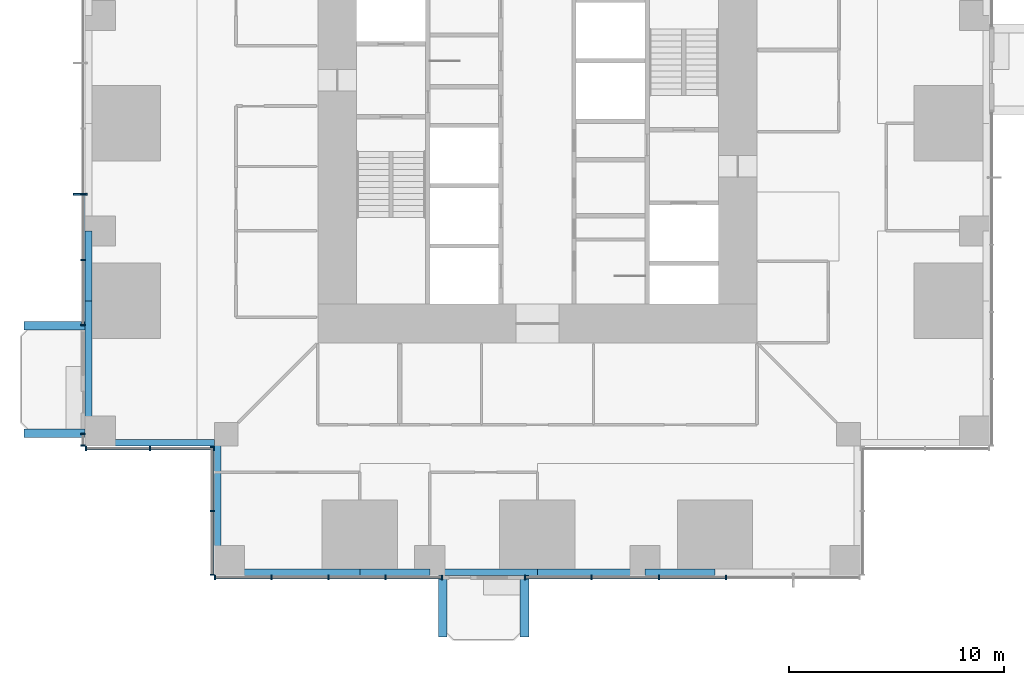
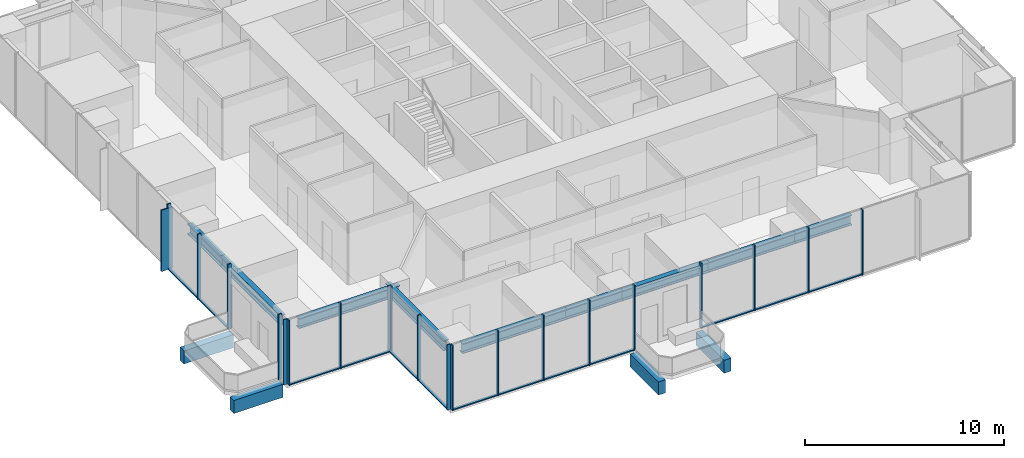
# One storey, part 2 of 17: 34 members, 13 beams, 6 elements without a shape of their own.
"""IFC4 building model written with IfcOpenShell, lengths in metres."""

from ifc_helpers import new_model, si_unit, direction, frame, origin, origin_2d, place, context, subcontext, project, spatial, rectangle, i_section, extrude, material, material_profile, profile_set, type_object, element, aggregate, save


model = new_model("IFC4")

# Units and contexts
model_context = context("Model", 3, precision=1e-05, world=origin(), true_north=direction((0.0, 1.0)))
body_context = subcontext(model_context, "Body", "Model", "MODEL_VIEW")
ifc_project = project(units=[si_unit("LENGTHUNIT", "METRE"), si_unit("AREAUNIT", "SQUARE_METRE"), si_unit("VOLUMEUNIT", "CUBIC_METRE"), si_unit("PLANEANGLEUNIT", "RADIAN"), si_unit("MASSUNIT", "GRAM", prefix="KILO")], contexts=[model_context])

# Site, building, storey
site_placement = place(None, origin())
site = spatial("IfcSite", under=ifc_project, at=site_placement, CompositionType="ELEMENT")
building_placement = place(site_placement, origin())
building = spatial("IfcBuilding", under=site, at=building_placement, Name="Svetlomir Tower", CompositionType="ELEMENT")
storey_placement = place(building_placement, frame((0.0, 0.0, 70.5)))
storey = spatial("IfcBuildingStorey", under=building, at=storey_placement, Name="L16", CompositionType="ELEMENT", Elevation=70.5)

# Beams
ifc_material_1 = material(Name="Concrete C60/75", Category="concrete")
ifc_material_profile_1 = material_profile(ifc_material_1, rectangle(XDim=0.39990234375, YDim=0.800048828125, at=origin_2d()), Name="RC 400x800")
ifc_profile_set_1 = profile_set([ifc_material_profile_1], Name="Concrete C60/75")
beam_type_1 = type_object("IfcBeamType", Name="BALCONY RIB RC 400x800", PredefinedType="BEAM", material=ifc_profile_set_1)
for number, where, z_axis, x_axis, name in (
    (1, (16.60009765625, 0.0, -0.64990234375), (0.0, -1.0, 0.0), (1.0, 0.0, 0.0), "Balcony rib S 1 L16"),
    (2, (20.39990234375, 0.0, -0.64990234375), (0.0, -1.0, 0.0), (1.0, 0.0, 0.0), "Balcony rib S 2 L16"),
    (3, (0.0, 6.60009765625, -0.64990234375), (-1.0, 0.0, 0.0), (0.0, -1.0, 0.0), "Balcony rib W 1 L16"),
    (4, (0.0, 11.60009765625, -0.64990234375), (-1.0, 0.0, 0.0), (0.0, -1.0, 0.0), "Balcony rib W 2 L16"),
):
    element("IfcBeam", number, at=place(storey_placement, frame(where, z_axis=z_axis, x_axis=x_axis)), inside=storey, type_object=beam_type_1, Name=name, PredefinedType="BEAM", context=body_context, shape_type="SweptSolid", body=[
        extrude(rectangle(XDim=0.39990234375, YDim=0.800048828125, at=origin_2d()), origin(), (0.0, 0.0, 1.0), 2.85009765625),
    ])

# Curtain wall, member
ifc_material_2 = material(Name="Bronze anodised aluminium curtain wall", Category="aluminium")
curtain_wall_type = type_object("IfcCurtainWallType", Name="CURTAIN WALL CW1 TOWER OFFICE", PredefinedType="NOTDEFINED", material=ifc_material_2)
curtain_wall_1_placement = place(storey_placement, origin())
curtain_wall_1 = element("IfcCurtainWall", 5, at=curtain_wall_1_placement, inside=storey, type_object=curtain_wall_type, Name="Curtain wall CW1 L16", PredefinedType="NOTDEFINED")
ifc_material_3 = material(Name="Bronze anodised aluminium", Category="aluminium")
ifc_material_profile_2 = material_profile(ifc_material_3, rectangle(XDim=0.080078125, YDim=0.64990234375, at=origin_2d()), Name="FIN 80x650")
ifc_profile_set_2 = profile_set([ifc_material_profile_2], Name="Bronze anodised aluminium 6063-T6")
member_type_1 = type_object("IfcMemberType", Name="BRONZE FIN 80x650", PredefinedType="USERDEFINED", material=ifc_profile_set_2)
member_1_placement = place(storey_placement, frame((-0.22509765625, 17.699951171875, 0.0), z_axis=(0.0, 0.0, 1.0), x_axis=(0.0, 1.0, 0.0)))
member_1 = element("IfcMember", 6, at=member_1_placement, type_object=member_type_1, Name="Bronze fin L16", ObjectType="FIN", PredefinedType="USERDEFINED", context=body_context, shape_type="SweptSolid", body=[
    extrude(rectangle(XDim=0.080078125, YDim=0.64990234375, at=origin_2d()), origin(), (0.0, 0.0, 1.0), 3.75),
])

# Curtain wall, members
curtain_wall_2_placement = place(storey_placement, origin())
curtain_wall_2 = element("IfcCurtainWall", 7, at=curtain_wall_2_placement, inside=storey, type_object=curtain_wall_type, Name="Curtain wall CW1 L16", PredefinedType="NOTDEFINED")
ifc_material_4 = material(Name="Bronze anodised aluminium", Category="aluminium")
ifc_material_profile_3 = material_profile(ifc_material_4, rectangle(XDim=0.06494140625, YDim=0.199951171875, at=origin_2d()), Name="AL 65x200")
ifc_profile_set_3 = profile_set([ifc_material_profile_3], Name="Bronze anodised aluminium 6063-T6")
member_type_2 = type_object("IfcMemberType", Name="CW1 MULLION 65x200", PredefinedType="MULLION", material=ifc_profile_set_3)
member_2_placement = place(storey_placement, frame((6.032470703125, -0.10009765625, 0.0), z_axis=(0.0, 0.0, 1.0), x_axis=(1.0, 0.0, 0.0)))
member_2 = element("IfcMember", 8, at=member_2_placement, type_object=member_type_2, Name="CW1 mullion 1", PredefinedType="MULLION", context=body_context, shape_type="SweptSolid", body=[
    extrude(rectangle(XDim=0.06494140625, YDim=0.199951171875, at=origin_2d()), origin(), (0.0, 0.0, 1.0), 4.0),
])
member_3_placement = place(storey_placement, frame((8.64990234375, -0.10009765625, 0.0), z_axis=(0.0, 0.0, 1.0), x_axis=(1.0, 0.0, 0.0)))
member_3 = element("IfcMember", 9, at=member_3_placement, type_object=member_type_2, Name="CW1 mullion 2", PredefinedType="MULLION", context=body_context, shape_type="SweptSolid", body=[
    extrude(rectangle(XDim=0.06494140625, YDim=0.199951171875, at=origin_2d()), origin(), (0.0, 0.0, 1.0), 4.0),
])
member_4_placement = place(storey_placement, frame((11.300048828125, -0.10009765625, 0.0), z_axis=(0.0, 0.0, 1.0), x_axis=(1.0, 0.0, 0.0)))
member_4 = element("IfcMember", 10, at=member_4_placement, type_object=member_type_2, Name="CW1 mullion 3", PredefinedType="MULLION", context=body_context, shape_type="SweptSolid", body=[
    extrude(rectangle(XDim=0.06494140625, YDim=0.199951171875, at=origin_2d()), origin(), (0.0, 0.0, 1.0), 4.0),
])
member_5_placement = place(storey_placement, frame((13.949951171875, -0.10009765625, 0.0), z_axis=(0.0, 0.0, 1.0), x_axis=(1.0, 0.0, 0.0)))
member_5 = element("IfcMember", 11, at=member_5_placement, type_object=member_type_2, Name="CW1 mullion 4", PredefinedType="MULLION", context=body_context, shape_type="SweptSolid", body=[
    extrude(rectangle(XDim=0.06494140625, YDim=0.199951171875, at=origin_2d()), origin(), (0.0, 0.0, 1.0), 4.0),
])
member_6_placement = place(storey_placement, frame((16.5673828125, -0.10009765625, 0.0), z_axis=(0.0, 0.0, 1.0), x_axis=(1.0, 0.0, 0.0)))
member_6 = element("IfcMember", 12, at=member_6_placement, type_object=member_type_2, Name="CW1 mullion 5", PredefinedType="MULLION", context=body_context, shape_type="SweptSolid", body=[
    extrude(rectangle(XDim=0.06494140625, YDim=0.199951171875, at=origin_2d()), origin(), (0.0, 0.0, 1.0), 4.0),
])

curtain_wall_3_placement = place(storey_placement, origin())
curtain_wall_3 = element("IfcCurtainWall", 13, at=curtain_wall_3_placement, inside=storey, type_object=curtain_wall_type, Name="Curtain wall CW1 L16", PredefinedType="NOTDEFINED")
member_7_placement = place(storey_placement, frame((20.4326171875, -0.10009765625, 0.0), z_axis=(0.0, 0.0, 1.0), x_axis=(1.0, 0.0, 0.0)))
member_7 = element("IfcMember", 14, at=member_7_placement, type_object=member_type_2, Name="CW1 mullion 1", PredefinedType="MULLION", context=body_context, shape_type="SweptSolid", body=[
    extrude(rectangle(XDim=0.06494140625, YDim=0.199951171875, at=origin_2d()), origin(), (0.0, 0.0, 1.0), 4.0),
])
member_8_placement = place(storey_placement, frame((23.52001953125, -0.10009765625, 0.0), z_axis=(0.0, 0.0, 1.0), x_axis=(1.0, 0.0, 0.0)))
member_8 = element("IfcMember", 15, at=member_8_placement, type_object=member_type_2, Name="CW1 mullion 2", PredefinedType="MULLION", context=body_context, shape_type="SweptSolid", body=[
    extrude(rectangle(XDim=0.06494140625, YDim=0.199951171875, at=origin_2d()), origin(), (0.0, 0.0, 1.0), 4.0),
])
member_9_placement = place(storey_placement, frame((26.639892578125, -0.10009765625, 0.0), z_axis=(0.0, 0.0, 1.0), x_axis=(1.0, 0.0, 0.0)))
member_9 = element("IfcMember", 16, at=member_9_placement, type_object=member_type_2, Name="CW1 mullion 3", PredefinedType="MULLION", context=body_context, shape_type="SweptSolid", body=[
    extrude(rectangle(XDim=0.06494140625, YDim=0.199951171875, at=origin_2d()), origin(), (0.0, 0.0, 1.0), 4.0),
])
member_10_placement = place(storey_placement, frame((29.760009765625, -0.10009765625, 0.0), z_axis=(0.0, 0.0, 1.0), x_axis=(1.0, 0.0, 0.0)))
member_10 = element("IfcMember", 17, at=member_10_placement, type_object=member_type_2, Name="CW1 mullion 4", PredefinedType="MULLION", context=body_context, shape_type="SweptSolid", body=[
    extrude(rectangle(XDim=0.06494140625, YDim=0.199951171875, at=origin_2d()), origin(), (0.0, 0.0, 1.0), 4.0),
])

# Member
member_11_placement = place(storey_placement, frame((-0.10009765625, 17.699951171875, 0.0), z_axis=(0.0, 0.0, 1.0), x_axis=(0.0, -1.0, 0.0)))
member_11 = element("IfcMember", 18, at=member_11_placement, type_object=member_type_2, Name="CW1 mullion 7", PredefinedType="MULLION", context=body_context, shape_type="SweptSolid", body=[
    extrude(rectangle(XDim=0.06494140625, YDim=0.199951171875, at=origin_2d()), origin(), (0.0, 0.0, 1.0), 4.0),
])

member_12_placement = place(storey_placement, frame((-0.10009765625, 14.64990234375, 0.0), z_axis=(0.0, 0.0, 1.0), x_axis=(0.0, -1.0, 0.0)))
member_12 = element("IfcMember", 19, at=member_12_placement, type_object=member_type_2, Name="CW1 mullion 8", PredefinedType="MULLION", context=body_context, shape_type="SweptSolid", body=[
    extrude(rectangle(XDim=0.06494140625, YDim=0.199951171875, at=origin_2d()), origin(), (0.0, 0.0, 1.0), 4.0),
])

member_13_placement = place(storey_placement, frame((-0.10009765625, 11.632568359375, 0.0), z_axis=(0.0, 0.0, 1.0), x_axis=(0.0, -1.0, 0.0)))
member_13 = element("IfcMember", 20, at=member_13_placement, type_object=member_type_2, Name="CW1 mullion 9", PredefinedType="MULLION", context=body_context, shape_type="SweptSolid", body=[
    extrude(rectangle(XDim=0.06494140625, YDim=0.199951171875, at=origin_2d()), origin(), (0.0, 0.0, 1.0), 4.0),
])

# Curtain wall, members
curtain_wall_4_placement = place(storey_placement, origin())
curtain_wall_4 = element("IfcCurtainWall", 21, at=curtain_wall_4_placement, inside=storey, type_object=curtain_wall_type, Name="Curtain wall CW1 L16", PredefinedType="NOTDEFINED")
member_14_placement = place(storey_placement, frame((-0.10009765625, 6.5673828125, 0.0), z_axis=(0.0, 0.0, 1.0), x_axis=(0.0, -1.0, 0.0)))
member_14 = element("IfcMember", 22, at=member_14_placement, type_object=member_type_2, Name="CW1 mullion 1", PredefinedType="MULLION", context=body_context, shape_type="SweptSolid", body=[
    extrude(rectangle(XDim=0.06494140625, YDim=0.199951171875, at=origin_2d()), origin(), (0.0, 0.0, 1.0), 4.0),
])
member_15_placement = place(storey_placement, frame((-0.10009765625, 6.032470703125, 0.0), z_axis=(0.0, 0.0, 1.0), x_axis=(0.0, -1.0, 0.0)))
member_15 = element("IfcMember", 23, at=member_15_placement, type_object=member_type_2, Name="CW1 mullion 2", PredefinedType="MULLION", context=body_context, shape_type="SweptSolid", body=[
    extrude(rectangle(XDim=0.06494140625, YDim=0.199951171875, at=origin_2d()), origin(), (0.0, 0.0, 1.0), 4.0),
])
aggregate(curtain_wall_4, [member_14, member_15])

curtain_wall_5_placement = place(storey_placement, origin())
curtain_wall_5 = element("IfcCurtainWall", 24, at=curtain_wall_5_placement, inside=storey, type_object=curtain_wall_type, Name="Curtain wall CW1 L16", PredefinedType="NOTDEFINED")
member_16_placement = place(storey_placement, frame((0.032470703125, 5.89990234375, 0.0), z_axis=(0.0, 0.0, 1.0), x_axis=(1.0, 0.0, 0.0)))
member_16 = element("IfcMember", 25, at=member_16_placement, type_object=member_type_2, Name="CW1 mullion 1", PredefinedType="MULLION", context=body_context, shape_type="SweptSolid", body=[
    extrude(rectangle(XDim=0.06494140625, YDim=0.199951171875, at=origin_2d()), origin(), (0.0, 0.0, 1.0), 4.0),
])
member_17_placement = place(storey_placement, frame((3.0, 5.89990234375, 0.0), z_axis=(0.0, 0.0, 1.0), x_axis=(1.0, 0.0, 0.0)))
member_17 = element("IfcMember", 26, at=member_17_placement, type_object=member_type_2, Name="CW1 mullion 2", PredefinedType="MULLION", context=body_context, shape_type="SweptSolid", body=[
    extrude(rectangle(XDim=0.06494140625, YDim=0.199951171875, at=origin_2d()), origin(), (0.0, 0.0, 1.0), 4.0),
])
member_18_placement = place(storey_placement, frame((5.967529296875, 5.89990234375, 0.0), z_axis=(0.0, 0.0, 1.0), x_axis=(1.0, 0.0, 0.0)))
member_18 = element("IfcMember", 27, at=member_18_placement, type_object=member_type_2, Name="CW1 mullion 3", PredefinedType="MULLION", context=body_context, shape_type="SweptSolid", body=[
    extrude(rectangle(XDim=0.06494140625, YDim=0.199951171875, at=origin_2d()), origin(), (0.0, 0.0, 1.0), 4.0),
])

curtain_wall_6_placement = place(storey_placement, origin())
curtain_wall_6 = element("IfcCurtainWall", 28, at=curtain_wall_6_placement, inside=storey, type_object=curtain_wall_type, Name="Curtain wall CW1 L16", PredefinedType="NOTDEFINED")
member_19_placement = place(storey_placement, frame((5.89990234375, 5.967529296875, 0.0), z_axis=(0.0, 0.0, 1.0), x_axis=(0.0, -1.0, 0.0)))
member_19 = element("IfcMember", 29, at=member_19_placement, type_object=member_type_2, Name="CW1 mullion 1", PredefinedType="MULLION", context=body_context, shape_type="SweptSolid", body=[
    extrude(rectangle(XDim=0.06494140625, YDim=0.199951171875, at=origin_2d()), origin(), (0.0, 0.0, 1.0), 4.0),
])
member_20_placement = place(storey_placement, frame((5.89990234375, 3.0, 0.0), z_axis=(0.0, 0.0, 1.0), x_axis=(0.0, -1.0, 0.0)))
member_20 = element("IfcMember", 30, at=member_20_placement, type_object=member_type_2, Name="CW1 mullion 2", PredefinedType="MULLION", context=body_context, shape_type="SweptSolid", body=[
    extrude(rectangle(XDim=0.06494140625, YDim=0.199951171875, at=origin_2d()), origin(), (0.0, 0.0, 1.0), 4.0),
])
member_21_placement = place(storey_placement, frame((5.89990234375, 0.032470703125, 0.0), z_axis=(0.0, 0.0, 1.0), x_axis=(0.0, -1.0, 0.0)))
member_21 = element("IfcMember", 31, at=member_21_placement, type_object=member_type_2, Name="CW1 mullion 3", PredefinedType="MULLION", context=body_context, shape_type="SweptSolid", body=[
    extrude(rectangle(XDim=0.06494140625, YDim=0.199951171875, at=origin_2d()), origin(), (0.0, 0.0, 1.0), 4.0),
])

# Member
ifc_material_5 = material(Name="Bronze anodised aluminium", Category="aluminium")
ifc_material_profile_4 = material_profile(ifc_material_5, rectangle(XDim=0.139892578125, YDim=0.06494140625, at=origin_2d()), Name="AL 140x65")
ifc_profile_set_4 = profile_set([ifc_material_profile_4], Name="Bronze anodised aluminium 6063-T6")
member_type_3 = type_object("IfcMemberType", Name="CW1 TRANSOM 65x140", PredefinedType="USERDEFINED", material=ifc_profile_set_4)
member_22_placement = place(storey_placement, frame((6.06494140625, -0.10009765625, 0.032470703125), z_axis=(1.0, 0.0, 0.0), x_axis=(0.0, 1.0, 0.0)))
member_22 = element("IfcMember", 32, at=member_22_placement, type_object=member_type_3, Name="CW1 transom 1.1", ObjectType="TRANSOM", PredefinedType="USERDEFINED", context=body_context, shape_type="SweptSolid", body=[
    extrude(rectangle(XDim=0.139892578125, YDim=0.06494140625, at=origin_2d()), origin(), (0.0, 0.0, 1.0), 2.552490234375),
])

member_23_placement = place(storey_placement, frame((8.6826171875, -0.10009765625, 0.032470703125), z_axis=(1.0, 0.0, 0.0), x_axis=(0.0, 1.0, 0.0)))
member_23 = element("IfcMember", 33, at=member_23_placement, type_object=member_type_3, Name="CW1 transom 2.1", ObjectType="TRANSOM", PredefinedType="USERDEFINED", context=body_context, shape_type="SweptSolid", body=[
    extrude(rectangle(XDim=0.139892578125, YDim=0.06494140625, at=origin_2d()), origin(), (0.0, 0.0, 1.0), 2.5849609375),
])

member_24_placement = place(storey_placement, frame((11.33251953125, -0.10009765625, 0.032470703125), z_axis=(1.0, 0.0, 0.0), x_axis=(0.0, 1.0, 0.0)))
member_24 = element("IfcMember", 34, at=member_24_placement, type_object=member_type_3, Name="CW1 transom 3.1", ObjectType="TRANSOM", PredefinedType="USERDEFINED", context=body_context, shape_type="SweptSolid", body=[
    extrude(rectangle(XDim=0.139892578125, YDim=0.06494140625, at=origin_2d()), origin(), (0.0, 0.0, 1.0), 2.5849609375),
])

member_25_placement = place(storey_placement, frame((13.982421875, -0.10009765625, 0.032470703125), z_axis=(1.0, 0.0, 0.0), x_axis=(0.0, 1.0, 0.0)))
member_25 = element("IfcMember", 35, at=member_25_placement, type_object=member_type_3, Name="CW1 transom 4.1", ObjectType="TRANSOM", PredefinedType="USERDEFINED", context=body_context, shape_type="SweptSolid", body=[
    extrude(rectangle(XDim=0.139892578125, YDim=0.06494140625, at=origin_2d()), origin(), (0.0, 0.0, 1.0), 2.552490234375),
])

aggregate(curtain_wall_2, [member_2, member_3, member_4, member_5, member_6, member_22, member_23, member_24, member_25])

member_26_placement = place(storey_placement, frame((20.465087890625, -0.10009765625, 0.032470703125), z_axis=(1.0, 0.0, 0.0), x_axis=(0.0, 1.0, 0.0)))
member_26 = element("IfcMember", 36, at=member_26_placement, type_object=member_type_3, Name="CW1 transom 1.1", ObjectType="TRANSOM", PredefinedType="USERDEFINED", context=body_context, shape_type="SweptSolid", body=[
    extrude(rectangle(XDim=0.139892578125, YDim=0.06494140625, at=origin_2d()), origin(), (0.0, 0.0, 1.0), 3.0224609375),
])

member_27_placement = place(storey_placement, frame((23.552490234375, -0.10009765625, 0.032470703125), z_axis=(1.0, 0.0, 0.0), x_axis=(0.0, 1.0, 0.0)))
member_27 = element("IfcMember", 37, at=member_27_placement, type_object=member_type_3, Name="CW1 transom 2.1", ObjectType="TRANSOM", PredefinedType="USERDEFINED", context=body_context, shape_type="SweptSolid", body=[
    extrude(rectangle(XDim=0.139892578125, YDim=0.06494140625, at=origin_2d()), origin(), (0.0, 0.0, 1.0), 3.054931640625),
])

member_28_placement = place(storey_placement, frame((26.672607421875, -0.10009765625, 0.032470703125), z_axis=(1.0, 0.0, 0.0), x_axis=(0.0, 1.0, 0.0)))
member_28 = element("IfcMember", 38, at=member_28_placement, type_object=member_type_3, Name="CW1 transom 3.1", ObjectType="TRANSOM", PredefinedType="USERDEFINED", context=body_context, shape_type="SweptSolid", body=[
    extrude(rectangle(XDim=0.139892578125, YDim=0.06494140625, at=origin_2d()), origin(), (0.0, 0.0, 1.0), 3.054931640625),
])

aggregate(curtain_wall_3, [member_7, member_8, member_9, member_10, member_26, member_27, member_28])

member_29_placement = place(storey_placement, frame((-0.10009765625, 17.66748046875, 0.032470703125), z_axis=(0.0, -1.0, 0.0), x_axis=(1.0, 0.0, 0.0)))
member_29 = element("IfcMember", 39, at=member_29_placement, type_object=member_type_3, Name="CW1 transom 7.1", ObjectType="TRANSOM", PredefinedType="USERDEFINED", context=body_context, shape_type="SweptSolid", body=[
    extrude(rectangle(XDim=0.139892578125, YDim=0.06494140625, at=origin_2d()), origin(), (0.0, 0.0, 1.0), 2.98486328125),
])

member_30_placement = place(storey_placement, frame((-0.10009765625, 14.617431640625, 0.032470703125), z_axis=(0.0, -1.0, 0.0), x_axis=(1.0, 0.0, 0.0)))
member_30 = element("IfcMember", 40, at=member_30_placement, type_object=member_type_3, Name="CW1 transom 8.1", ObjectType="TRANSOM", PredefinedType="USERDEFINED", context=body_context, shape_type="SweptSolid", body=[
    extrude(rectangle(XDim=0.139892578125, YDim=0.06494140625, at=origin_2d()), origin(), (0.0, 0.0, 1.0), 2.952392578125),
])

aggregate(curtain_wall_1, [member_11, member_12, member_13, member_29, member_30, member_1])

member_31_placement = place(storey_placement, frame((0.06494140625, 5.89990234375, 0.032470703125), z_axis=(1.0, 0.0, 0.0), x_axis=(0.0, 1.0, 0.0)))
member_31 = element("IfcMember", 41, at=member_31_placement, type_object=member_type_3, Name="CW1 transom 1.1", ObjectType="TRANSOM", PredefinedType="USERDEFINED", context=body_context, shape_type="SweptSolid", body=[
    extrude(rectangle(XDim=0.139892578125, YDim=0.06494140625, at=origin_2d()), origin(), (0.0, 0.0, 1.0), 2.902587890625),
])

member_32_placement = place(storey_placement, frame((3.032470703125, 5.89990234375, 0.032470703125), z_axis=(1.0, 0.0, 0.0), x_axis=(0.0, 1.0, 0.0)))
member_32 = element("IfcMember", 42, at=member_32_placement, type_object=member_type_3, Name="CW1 transom 2.1", ObjectType="TRANSOM", PredefinedType="USERDEFINED", context=body_context, shape_type="SweptSolid", body=[
    extrude(rectangle(XDim=0.139892578125, YDim=0.06494140625, at=origin_2d()), origin(), (0.0, 0.0, 1.0), 2.902587890625),
])

aggregate(curtain_wall_5, [member_16, member_17, member_18, member_31, member_32])

member_33_placement = place(storey_placement, frame((5.89990234375, 5.93505859375, 0.032470703125), z_axis=(0.0, -1.0, 0.0), x_axis=(1.0, 0.0, 0.0)))
member_33 = element("IfcMember", 43, at=member_33_placement, type_object=member_type_3, Name="CW1 transom 1.1", ObjectType="TRANSOM", PredefinedType="USERDEFINED", context=body_context, shape_type="SweptSolid", body=[
    extrude(rectangle(XDim=0.139892578125, YDim=0.06494140625, at=origin_2d()), origin(), (0.0, 0.0, 1.0), 2.902587890625),
])

member_34_placement = place(storey_placement, frame((5.89990234375, 2.967529296875, 0.032470703125), z_axis=(0.0, -1.0, 0.0), x_axis=(1.0, 0.0, 0.0)))
member_34 = element("IfcMember", 44, at=member_34_placement, type_object=member_type_3, Name="CW1 transom 2.1", ObjectType="TRANSOM", PredefinedType="USERDEFINED", context=body_context, shape_type="SweptSolid", body=[
    extrude(rectangle(XDim=0.139892578125, YDim=0.06494140625, at=origin_2d()), origin(), (0.0, 0.0, 1.0), 2.902587890625),
])

aggregate(curtain_wall_6, [member_19, member_20, member_21, member_33, member_34])

# Beams
ifc_material_6 = material(Name="Steel S355", Category="steel")
ifc_material_profile_5 = material_profile(ifc_material_6, i_section(OverallWidth=0.304931640625, OverallDepth=0.6201171875, WebThickness=0.02099609375, FlangeThickness=0.0400390625, FilletRadius=0.027099609375, at=origin_2d()), Name="HEM 600")
ifc_profile_set_5 = profile_set([ifc_material_profile_5], Name="Steel S355")
beam_type_2 = type_object("IfcBeamType", Name="EDGE BEAM HEM 600", PredefinedType="SPANDREL", material=ifc_profile_set_5)
for number, where, z_axis, x_axis, name in (
    (45, (6.699951171875, 0.152587890625, 3.43994140625), (1.0, 0.0, 0.0), (0.0, 1.0, 0.0), "Edge beam 6/0 to 11/0 under L17"),
    (46, (0.152587890625, 6.699951171875, 3.43994140625), (0.0, 1.0, 0.0), (-1.0, 0.0, 0.0), "Edge beam 0/6 to 0/11 under L17"),
):
    element("IfcBeam", number, at=place(storey_placement, frame(where, z_axis=z_axis, x_axis=x_axis)), inside=storey, type_object=beam_type_2, Name=name, PredefinedType="SPANDREL", context=body_context, shape_type="SweptSolid", body=[
        extrude(i_section(OverallWidth=0.304931640625, OverallDepth=0.6201171875, WebThickness=0.02099609375, FlangeThickness=0.0400390625, FilletRadius=0.027099609375, at=origin_2d()), origin(), (0.0, 0.0, 1.0), 6.050048828125),
    ])
for number, where, z_axis, x_axis, name in (
    (47, (12.75, 0.152587890625, 3.43994140625), (1.0, 0.0, 0.0), (0.0, 1.0, 0.0), "Edge beam 11/0 to 16/0 under L17"),
    (48, (0.152587890625, 12.75, 3.43994140625), (0.0, 1.0, 0.0), (-1.0, 0.0, 0.0), "Edge beam 0/11 to 0/16 under L17"),
):
    element("IfcBeam", number, at=place(storey_placement, frame(where, z_axis=z_axis, x_axis=x_axis)), inside=storey, type_object=beam_type_2, Name=name, PredefinedType="SPANDREL", context=body_context, shape_type="SweptSolid", body=[
        extrude(i_section(OverallWidth=0.304931640625, OverallDepth=0.6201171875, WebThickness=0.02099609375, FlangeThickness=0.0400390625, FilletRadius=0.027099609375, at=origin_2d()), origin(), (0.0, 0.0, 1.0), 3.25),
    ])
for number, where, z_axis, x_axis, name in (
    (49, (16.0, 0.152587890625, 3.43994140625), (1.0, 0.0, 0.0), (0.0, 1.0, 0.0), "Edge beam 16/0 to 21/0 under L17"),
    (50, (21.0, 0.152587890625, 3.43994140625), (1.0, 0.0, 0.0), (0.0, 1.0, 0.0), "Edge beam 21/0 to 26/0 under L17"),
):
    element("IfcBeam", number, at=place(storey_placement, frame(where, z_axis=z_axis, x_axis=x_axis)), inside=storey, type_object=beam_type_2, Name=name, PredefinedType="SPANDREL", context=body_context, shape_type="SweptSolid", body=[
        extrude(i_section(OverallWidth=0.304931640625, OverallDepth=0.6201171875, WebThickness=0.02099609375, FlangeThickness=0.0400390625, FilletRadius=0.027099609375, at=origin_2d()), origin(), (0.0, 0.0, 1.0), 5.0),
    ])
beam_placement = place(storey_placement, frame((26.0, 0.152587890625, 3.43994140625), z_axis=(1.0, 0.0, 0.0), x_axis=(0.0, 1.0, 0.0)))
element("IfcBeam", 51, at=beam_placement, inside=storey, type_object=beam_type_2, Name="Edge beam 26/0 to 31/0 under L17", PredefinedType="SPANDREL", context=body_context, shape_type="SweptSolid", body=[
    extrude(i_section(OverallWidth=0.304931640625, OverallDepth=0.6201171875, WebThickness=0.02099609375, FlangeThickness=0.0400390625, FilletRadius=0.027099609375, at=origin_2d()), origin(), (0.0, 0.0, 1.0), 3.25),
])
for number, where, z_axis, x_axis, name in (
    (52, (6.152587890625, 0.699951171875, 3.43994140625), (0.0, 1.0, 0.0), (-1.0, 0.0, 0.0), "Edge beam 6/0 to 6/6 under L17"),
    (53, (0.699951171875, 6.152587890625, 3.43994140625), (1.0, 0.0, 0.0), (0.0, 1.0, 0.0), "Edge beam 0/6 to 6/6 under L17"),
):
    element("IfcBeam", number, at=place(storey_placement, frame(where, z_axis=z_axis, x_axis=x_axis)), inside=storey, type_object=beam_type_2, Name=name, PredefinedType="SPANDREL", context=body_context, shape_type="SweptSolid", body=[
        extrude(i_section(OverallWidth=0.304931640625, OverallDepth=0.6201171875, WebThickness=0.02099609375, FlangeThickness=0.0400390625, FilletRadius=0.027099609375, at=origin_2d()), origin(), (0.0, 0.0, 1.0), 5.85009765625),
    ])

save(model, "model.ifc")
